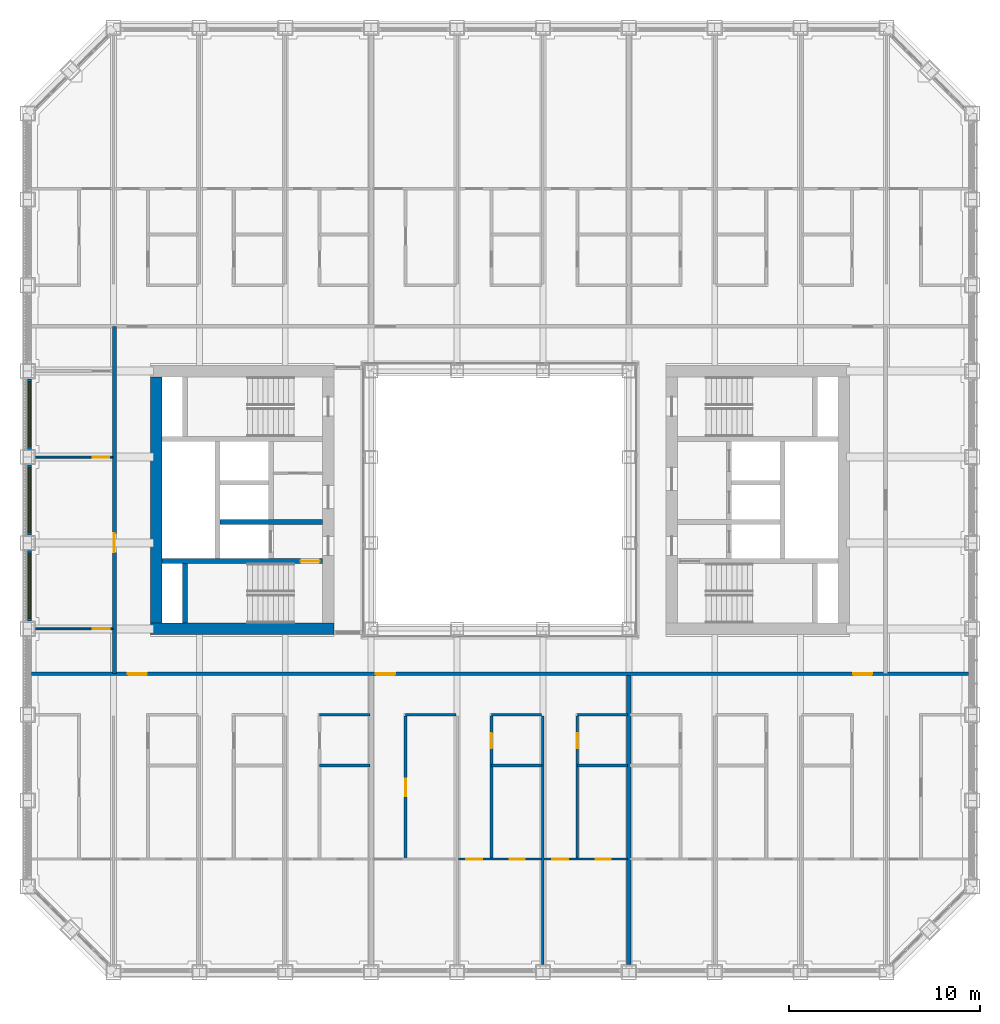
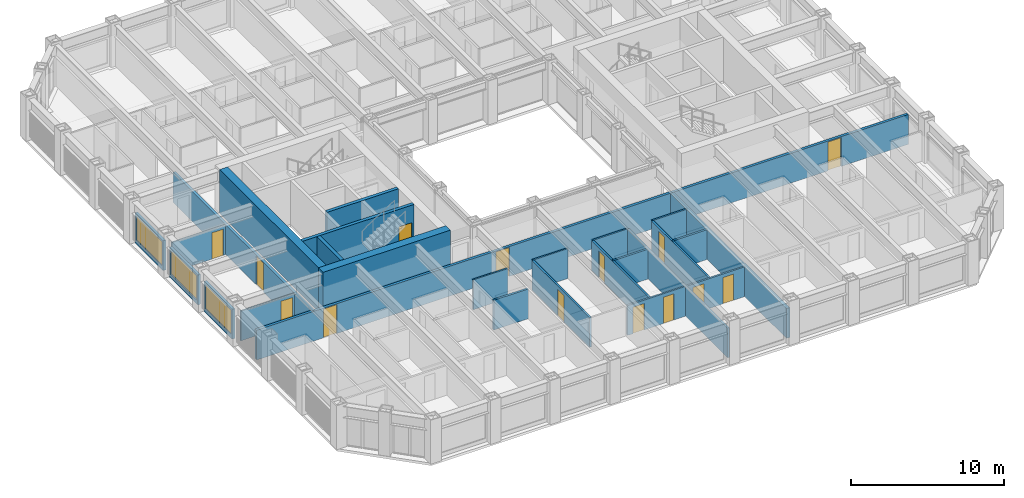
# One storey, part 10 of 21: 26 walls, 14 doors, 3 windows, 17 openings.
"""IFC4 building model written with IfcOpenShell, lengths in metres."""

from ifc_helpers import new_model, si_unit, direction, frame, frame_2d, origin, place, context, subcontext, project, spatial, rectangle, extrude, material, layer, layer_set, type_object, element, fill, save


model = new_model("IFC4")

# Units and contexts
model_context = context("Model", 3, precision=1e-05, world=origin(), true_north=direction((0.0, 1.0)))
body_context = subcontext(model_context, "Body", "Model", "MODEL_VIEW")
ifc_project = project(units=[si_unit("LENGTHUNIT", "METRE"), si_unit("AREAUNIT", "SQUARE_METRE"), si_unit("VOLUMEUNIT", "CUBIC_METRE"), si_unit("PLANEANGLEUNIT", "RADIAN"), si_unit("MASSUNIT", "GRAM", prefix="KILO")], contexts=[model_context])

# Site, building, storey
site_placement = place(None, origin())
site = spatial("IfcSite", under=ifc_project, at=site_placement, CompositionType="ELEMENT")
building_placement = place(site_placement, origin())
building = spatial("IfcBuilding", under=site, at=building_placement, Name="Msasa Ring Tower", CompositionType="ELEMENT")
storey_placement = place(building_placement, frame((0.0, 0.0, 96.5)))
storey = spatial("IfcBuildingStorey", under=building, at=storey_placement, Name="L25", CompositionType="ELEMENT", Elevation=96.5)

# Walls
ifc_material_1 = material(Name="Concrete C60/75", Category="concrete")
ifc_layer_1 = layer(ifc_material_1, 0.60009765625)
ifc_layer_set_1 = layer_set([ifc_layer_1], Name="CW1 CORE WALL 600")
wall_type_1 = type_object("IfcWallType", Name="CW1 CORE WALL 600", PredefinedType="SHEAR", material=ifc_layer_set_1)
wall_1_placement = place(storey_placement, frame((-8.699951171875, -6.75, 0.0), z_axis=(0.0, 0.0, 1.0), x_axis=(-1.0, 0.0, 0.0)))
element("IfcWall", 1, at=wall_1_placement, inside=storey, type_object=wall_type_1, Name="W core wall S L25", PredefinedType="SHEAR", context=body_context, shape_type="SweptSolid", body=[
    extrude(rectangle(XDim=9.60009765625, YDim=0.60009765625, at=frame_2d((4.800048828125, 0.0))), origin(), (0.0, 0.0, 1.0), 3.5),
])
wall_2_placement = place(storey_placement, frame((-18.0, -6.449951171875, 0.0), z_axis=(0.0, 0.0, 1.0), x_axis=(0.0, 1.0, 0.0)))
element("IfcWall", 2, at=wall_2_placement, inside=storey, type_object=wall_type_1, Name="W core wall E L25", PredefinedType="SHEAR", context=body_context, shape_type="SweptSolid", body=[
    extrude(rectangle(XDim=12.89990234375, YDim=0.60009765625, at=frame_2d((6.449951171875, 0.0))), origin(), (0.0, 0.0, 1.0), 3.5),
])

# Wall, opening, door
ifc_material_2 = material(Name="Concrete C60/75", Category="concrete")
ifc_layer_2 = layer(ifc_material_2, 0.25)
ifc_layer_set_2 = layer_set([ifc_layer_2], Name="CW4 CORE INNER WALL 250")
wall_type_2 = type_object("IfcWallType", Name="CW4 CORE INNER WALL 250", PredefinedType="SHEAR", material=ifc_layer_set_2)
wall_3_placement = place(storey_placement, frame((-9.300048828125, -3.199951171875, 0.0), z_axis=(0.0, 0.0, 1.0), x_axis=(-1.0, 0.0, 0.0)))
wall_3 = element("IfcWall", 3, at=wall_3_placement, inside=storey, type_object=wall_type_2, Name="W core wall STAIRA L25", PredefinedType="SHEAR", context=body_context, shape_type="SweptSolid", body=[
    extrude(rectangle(XDim=8.39990234375, YDim=0.25, at=frame_2d((4.199951171875, 0.0))), origin(), (0.0, 0.0, 1.0), 3.5),
])
opening_1_placement = place(wall_3_placement, frame((0.14990234375, 0.0, 0.0)))
opening_1 = element("IfcOpeningElement", 4, at=opening_1_placement, cuts=wall_3, Name="Opening RG-046", PredefinedType="OPENING", context=body_context, shape_type="SweptSolid", body=[
    extrude(rectangle(XDim=1.0, YDim=2.10009765625, at=frame_2d((0.5, 1.050048828125))), frame((0.0, 0.135009765625, 0.0), z_axis=(0.0, -1.0, 0.0), x_axis=(1.0, 0.0, 0.0)), (0.0, 0.0, 1.0), 0.27001953125),
])
ifc_material_3 = material(Name="Timber door leaf in a steel frame", Category="steel")
door_type_1 = type_object("IfcDoorType", Name="D6 STAIR DOOR 1000x2100", OperationType="SINGLE_SWING_LEFT", PredefinedType="DOOR", material=ifc_material_3)
door_1_placement = place(opening_1_placement, origin())
door_1 = element("IfcDoor", 5, at=door_1_placement, inside=storey, type_object=door_type_1, Name="Door L25-WSTA", OperationType="SINGLE_SWING_LEFT", OverallHeight=2.10009765625, OverallWidth=1.0, PredefinedType="DOOR", context=body_context, shape_type="SweptSolid", body=[
    extrude(rectangle(XDim=1.0, YDim=2.10009765625, at=frame_2d((0.5, 1.050048828125))), frame((0.0, 0.02490234375, 0.0), z_axis=(0.0, -1.0, 0.0), x_axis=(1.0, 0.0, 0.0)), (0.0, 0.0, 1.0), 0.050048828125),
])
fill(opening_1, door_1)

# Walls
wall_4_placement = place(storey_placement, frame((-16.5, -6.449951171875, 0.0), z_axis=(0.0, 0.0, 1.0), x_axis=(0.0, 1.0, 0.0)))
element("IfcWall", 6, at=wall_4_placement, inside=storey, type_object=wall_type_2, Name="W core wall RISERA L25", PredefinedType="SHEAR", context=body_context, shape_type="SweptSolid", body=[
    extrude(rectangle(XDim=3.125, YDim=0.25, at=frame_2d((1.5625, 0.0))), origin(), (0.0, 0.0, 1.0), 3.5),
])
wall_5_placement = place(storey_placement, frame((-9.300048828125, -1.14990234375, 0.0), z_axis=(0.0, 0.0, 1.0), x_axis=(-1.0, 0.0, 0.0)))
element("IfcWall", 7, at=wall_5_placement, inside=storey, type_object=wall_type_2, Name="W core wall FFL L25", PredefinedType="SHEAR", context=body_context, shape_type="SweptSolid", body=[
    extrude(rectangle(XDim=5.375, YDim=0.25, at=frame_2d((2.6875, 0.0))), origin(), (0.0, 0.0, 1.0), 3.5),
])

# Wall, opening, window
ifc_material_4 = material(Name="Terracotta rainscreen on blockwork", Category="masonry")
ifc_layer_3 = layer(ifc_material_4, 0.199951171875)
ifc_layer_set_3 = layer_set([ifc_layer_3], Name="FW1 TERRACOTTA-LINED INFILL BAY WALL 200")
wall_type_3 = type_object("IfcWallType", Name="FW1 TERRACOTTA-LINED INFILL BAY WALL 200", PredefinedType="SOLIDWALL", material=ifc_layer_set_3)
wall_6_placement = place(storey_placement, frame((-24.64990234375, -6.344970703125, 0.0), z_axis=(0.0, 0.0, 1.0), x_axis=(0.0, 1.0, 0.0)))
wall_6 = element("IfcWall", 8, at=wall_6_placement, inside=storey, type_object=wall_type_3, Name="Infill bay wall W L25 36", PredefinedType="SOLIDWALL", context=body_context, shape_type="SweptSolid", body=[
    extrude(rectangle(XDim=3.68994140625, YDim=0.199951171875, at=frame_2d((1.844970703125, 0.0))), origin(), (0.0, 0.0, 1.0), 2.37890625),
])
opening_2_placement = place(wall_6_placement, frame((0.14501953125, 0.0, 0.300048828125)))
opening_2 = element("IfcOpeningElement", 9, at=opening_2_placement, cuts=wall_6, Name="Opening WN1", PredefinedType="OPENING", context=body_context, shape_type="SweptSolid", body=[
    extrude(rectangle(XDim=3.39990234375, YDim=1.928955078125, at=frame_2d((1.699951171875, 0.96435546875))), frame((0.0, 0.10986328125, 0.0), z_axis=(0.0, -1.0, 0.0), x_axis=(1.0, 0.0, 0.0)), (0.0, 0.0, 1.0), 0.219970703125),
])
ifc_material_5 = material(Name="Aluminium frame with clear glass", Category="aluminium")
window_type = type_object("IfcWindowType", Name="WN1 RESIDENCE WINDOW 3400x1929", PartitioningType="SINGLE_PANEL", PredefinedType="WINDOW", material=ifc_material_5)
window_1_placement = place(opening_2_placement, origin())
window_1 = element("IfcWindow", 10, at=window_1_placement, inside=storey, type_object=window_type, Name="Window W L25 36", OverallHeight=1.928955078125, OverallWidth=3.39990234375, PartitioningType="SINGLE_PANEL", PredefinedType="WINDOW", context=body_context, shape_type="SweptSolid", body=[
    extrude(rectangle(XDim=3.39990234375, YDim=1.928955078125, at=frame_2d((1.699951171875, 0.96435546875))), frame((0.0, 0.030029296875, 0.0), z_axis=(0.0, -1.0, 0.0), x_axis=(1.0, 0.0, 0.0)), (0.0, 0.0, 1.0), 0.06005859375),
])
fill(opening_2, window_1)

wall_7_placement = place(storey_placement, frame((-24.64990234375, -1.844970703125, 0.0), z_axis=(0.0, 0.0, 1.0), x_axis=(0.0, 1.0, 0.0)))
wall_7 = element("IfcWall", 11, at=wall_7_placement, inside=storey, type_object=wall_type_3, Name="Infill bay wall W L25 37", PredefinedType="SOLIDWALL", context=body_context, shape_type="SweptSolid", body=[
    extrude(rectangle(XDim=3.68994140625, YDim=0.199951171875, at=frame_2d((1.844970703125, 0.0))), origin(), (0.0, 0.0, 1.0), 2.37890625),
])
opening_3_placement = place(wall_7_placement, frame((0.14501953125, 0.0, 0.300048828125)))
opening_3 = element("IfcOpeningElement", 12, at=opening_3_placement, cuts=wall_7, Name="Opening WN1", PredefinedType="OPENING", context=body_context, shape_type="SweptSolid", body=[
    extrude(rectangle(XDim=3.39990234375, YDim=1.928955078125, at=frame_2d((1.699951171875, 0.96435546875))), frame((0.0, 0.10986328125, 0.0), z_axis=(0.0, -1.0, 0.0), x_axis=(1.0, 0.0, 0.0)), (0.0, 0.0, 1.0), 0.219970703125),
])
window_2_placement = place(opening_3_placement, origin())
window_2 = element("IfcWindow", 13, at=window_2_placement, inside=storey, type_object=window_type, Name="Window W L25 37", OverallHeight=1.928955078125, OverallWidth=3.39990234375, PartitioningType="SINGLE_PANEL", PredefinedType="WINDOW", context=body_context, shape_type="SweptSolid", body=[
    extrude(rectangle(XDim=3.39990234375, YDim=1.928955078125, at=frame_2d((1.699951171875, 0.96435546875))), frame((0.0, 0.030029296875, 0.0), z_axis=(0.0, -1.0, 0.0), x_axis=(1.0, 0.0, 0.0)), (0.0, 0.0, 1.0), 0.06005859375),
])
fill(opening_3, window_2)

wall_8_placement = place(storey_placement, frame((-24.64990234375, 2.655029296875, 0.0), z_axis=(0.0, 0.0, 1.0), x_axis=(0.0, 1.0, 0.0)))
wall_8 = element("IfcWall", 14, at=wall_8_placement, inside=storey, type_object=wall_type_3, Name="Infill bay wall W L25 38", PredefinedType="SOLIDWALL", context=body_context, shape_type="SweptSolid", body=[
    extrude(rectangle(XDim=3.68994140625, YDim=0.199951171875, at=frame_2d((1.844970703125, 0.0))), origin(), (0.0, 0.0, 1.0), 2.37890625),
])
opening_4_placement = place(wall_8_placement, frame((0.14501953125, 0.0, 0.300048828125)))
opening_4 = element("IfcOpeningElement", 15, at=opening_4_placement, cuts=wall_8, Name="Opening WN1", PredefinedType="OPENING", context=body_context, shape_type="SweptSolid", body=[
    extrude(rectangle(XDim=3.39990234375, YDim=1.928955078125, at=frame_2d((1.699951171875, 0.96435546875))), frame((0.0, 0.10986328125, 0.0), z_axis=(0.0, -1.0, 0.0), x_axis=(1.0, 0.0, 0.0)), (0.0, 0.0, 1.0), 0.219970703125),
])
window_3_placement = place(opening_4_placement, origin())
window_3 = element("IfcWindow", 16, at=window_3_placement, inside=storey, type_object=window_type, Name="Window W L25 38", OverallHeight=1.928955078125, OverallWidth=3.39990234375, PartitioningType="SINGLE_PANEL", PredefinedType="WINDOW", context=body_context, shape_type="SweptSolid", body=[
    extrude(rectangle(XDim=3.39990234375, YDim=1.928955078125, at=frame_2d((1.699951171875, 0.96435546875))), frame((0.0, 0.030029296875, 0.0), z_axis=(0.0, -1.0, 0.0), x_axis=(1.0, 0.0, 0.0)), (0.0, 0.0, 1.0), 0.06005859375),
])
fill(opening_4, window_3)

# Wall, openings, doors
ifc_material_6 = material(Name="Concrete blockwork", Category="masonry")
ifc_layer_4 = layer(ifc_material_6, 0.199951171875)
ifc_layer_set_4 = layer_set([ifc_layer_4], Name="PT1 CORRIDOR WALL 200")
wall_type_4 = type_object("IfcWallType", Name="PT1 CORRIDOR WALL 200", PredefinedType="PARTITIONING", material=ifc_layer_set_4)
wall_9_placement = place(storey_placement, frame((-24.550048828125, -9.10009765625, 0.0), z_axis=(0.0, 0.0, 1.0), x_axis=(1.0, 0.0, 0.0)))
wall_9 = element("IfcWall", 17, at=wall_9_placement, inside=storey, type_object=wall_type_4, Name="Corridor wall L25-CORRS0", PredefinedType="PARTITIONING", context=body_context, shape_type="SweptSolid", body=[
    extrude(rectangle(XDim=49.10009765625, YDim=0.199951171875, at=frame_2d((24.550048828125, 0.0))), origin(), (0.0, 0.0, 1.0), 2.373291015625),
])
opening_5_placement = place(wall_9_placement, frame((5.050048828125, 0.0, 0.0)))
opening_5 = element("IfcOpeningElement", 18, at=opening_5_placement, cuts=wall_9, Name="Opening RG-050", PredefinedType="OPENING", context=body_context, shape_type="SweptSolid", body=[
    extrude(rectangle(XDim=1.0, YDim=2.300048828125, at=frame_2d((0.5, 1.14990234375))), frame((0.0, 0.10986328125, 0.0), z_axis=(0.0, -1.0, 0.0), x_axis=(1.0, 0.0, 0.0)), (0.0, 0.0, 1.0), 0.219970703125),
])
opening_6_placement = place(wall_9_placement, frame((18.050048828125, 0.0, 0.0)))
opening_6 = element("IfcOpeningElement", 19, at=opening_6_placement, cuts=wall_9, Name="Opening RG-051", PredefinedType="OPENING", context=body_context, shape_type="SweptSolid", body=[
    extrude(rectangle(XDim=1.0, YDim=2.300048828125, at=frame_2d((0.5, 1.14990234375))), frame((0.0, 0.10986328125, 0.0), z_axis=(0.0, -1.0, 0.0), x_axis=(1.0, 0.0, 0.0)), (0.0, 0.0, 1.0), 0.219970703125),
])
opening_7_placement = place(wall_9_placement, frame((43.050048828125, 0.0, 0.0)))
opening_7 = element("IfcOpeningElement", 20, at=opening_7_placement, cuts=wall_9, Name="Opening RG-052", PredefinedType="OPENING", context=body_context, shape_type="SweptSolid", body=[
    extrude(rectangle(XDim=1.0, YDim=2.300048828125, at=frame_2d((0.5, 1.14990234375))), frame((0.0, 0.10986328125, 0.0), z_axis=(0.0, -1.0, 0.0), x_axis=(1.0, 0.0, 0.0)), (0.0, 0.0, 1.0), 0.219970703125),
])
ifc_material_7 = material(Name="Timber door leaf in a steel frame", Category="steel")
door_type_2 = type_object("IfcDoorType", Name="D16 UPPER RESIDENCE ENTRANCE DOOR 1000x2300", OperationType="SINGLE_SWING_LEFT", PredefinedType="DOOR", material=ifc_material_7)
door_2_placement = place(opening_5_placement, origin())
door_2 = element("IfcDoor", 21, at=door_2_placement, inside=storey, type_object=door_type_2, Name="Door L25-US00", OperationType="SINGLE_SWING_LEFT", OverallHeight=2.300048828125, OverallWidth=1.0, PredefinedType="DOOR", context=body_context, shape_type="SweptSolid", body=[
    extrude(rectangle(XDim=1.0, YDim=2.300048828125, at=frame_2d((0.5, 1.14990234375))), frame((0.0, 0.02490234375, 0.0), z_axis=(0.0, -1.0, 0.0), x_axis=(1.0, 0.0, 0.0)), (0.0, 0.0, 1.0), 0.050048828125),
])
fill(opening_5, door_2)
door_3_placement = place(opening_6_placement, origin())
door_3 = element("IfcDoor", 22, at=door_3_placement, inside=storey, type_object=door_type_2, Name="Door L25-US01", OperationType="SINGLE_SWING_LEFT", OverallHeight=2.300048828125, OverallWidth=1.0, PredefinedType="DOOR", context=body_context, shape_type="SweptSolid", body=[
    extrude(rectangle(XDim=1.0, YDim=2.300048828125, at=frame_2d((0.5, 1.14990234375))), frame((0.0, 0.02490234375, 0.0), z_axis=(0.0, -1.0, 0.0), x_axis=(1.0, 0.0, 0.0)), (0.0, 0.0, 1.0), 0.050048828125),
])
fill(opening_6, door_3)
door_4_placement = place(opening_7_placement, origin())
door_4 = element("IfcDoor", 23, at=door_4_placement, inside=storey, type_object=door_type_2, Name="Door L25-US02", OperationType="SINGLE_SWING_RIGHT", OverallHeight=2.300048828125, OverallWidth=1.0, PredefinedType="DOOR", context=body_context, shape_type="SweptSolid", body=[
    extrude(rectangle(XDim=1.0, YDim=2.300048828125, at=frame_2d((0.5, 1.14990234375))), frame((0.0, 0.02490234375, 0.0), z_axis=(0.0, -1.0, 0.0), x_axis=(1.0, 0.0, 0.0)), (0.0, 0.0, 1.0), 0.050048828125),
])
fill(opening_7, door_4)

# Wall, opening, door
wall_10_placement = place(storey_placement, frame((-20.199951171875, -9.10009765625, 0.0), z_axis=(0.0, 0.0, 1.0), x_axis=(0.0, 1.0, 0.0)))
wall_10 = element("IfcWall", 24, at=wall_10_placement, inside=storey, type_object=wall_type_4, Name="Corridor wall L25-STRW", PredefinedType="PARTITIONING", context=body_context, shape_type="SweptSolid", body=[
    extrude(rectangle(XDim=18.2001953125, YDim=0.199951171875, at=frame_2d((9.10009765625, 0.0))), origin(), (0.0, 0.0, 1.0), 2.373291015625),
])
opening_8_placement = place(wall_10_placement, frame((6.35009765625, 0.0, 0.0)))
opening_8 = element("IfcOpeningElement", 25, at=opening_8_placement, cuts=wall_10, Name="Opening RG-043", PredefinedType="OPENING", context=body_context, shape_type="SweptSolid", body=[
    extrude(rectangle(XDim=1.0, YDim=2.300048828125, at=frame_2d((0.5, 1.14990234375))), frame((0.0, 0.10986328125, 0.0), z_axis=(0.0, -1.0, 0.0), x_axis=(1.0, 0.0, 0.0)), (0.0, 0.0, 1.0), 0.219970703125),
])
door_5_placement = place(opening_8_placement, origin())
door_5 = element("IfcDoor", 26, at=door_5_placement, inside=storey, type_object=door_type_2, Name="Door L25-STW", OperationType="SINGLE_SWING_LEFT", OverallHeight=2.300048828125, OverallWidth=1.0, PredefinedType="DOOR", context=body_context, shape_type="SweptSolid", body=[
    extrude(rectangle(XDim=1.0, YDim=2.300048828125, at=frame_2d((0.5, 1.14990234375))), frame((0.0, 0.02490234375, 0.0), z_axis=(0.0, -1.0, 0.0), x_axis=(1.0, 0.0, 0.0)), (0.0, 0.0, 1.0), 0.050048828125),
])
fill(opening_8, door_5)

ifc_material_8 = material(Name="Gypsum board on steel studs", Category="steel")
ifc_layer_5 = layer(ifc_material_8, 0.10009765625)
ifc_layer_set_5 = layer_set([ifc_layer_5], Name="PT2 STUD PARTITION 100")
wall_type_5 = type_object("IfcWallType", Name="PT2 STUD PARTITION 100", PredefinedType="PARTITIONING", material=ifc_layer_set_5)
wall_11_placement = place(storey_placement, frame((-24.35009765625, -6.75, 0.0), z_axis=(0.0, 0.0, 1.0), x_axis=(1.0, 0.0, 0.0)))
wall_11 = element("IfcWall", 27, at=wall_11_placement, inside=storey, type_object=wall_type_5, Name="Partition L25-STWKY", PredefinedType="PARTITIONING", context=body_context, shape_type="SweptSolid", body=[
    extrude(rectangle(XDim=4.050048828125, YDim=0.10009765625, at=frame_2d((2.02490234375, 0.0))), origin(), (0.0, 0.0, 1.0), 2.373291015625),
])
opening_9_placement = place(wall_11_placement, frame((3.0, 0.0, 0.0)))
opening_9 = element("IfcOpeningElement", 28, at=opening_9_placement, cuts=wall_11, Name="Opening RG-048", PredefinedType="OPENING", context=body_context, shape_type="SweptSolid", body=[
    extrude(rectangle(XDim=0.89990234375, YDim=2.10009765625, at=frame_2d((0.449951171875, 1.050048828125))), frame((0.0, 0.06005859375, 0.0), z_axis=(0.0, -1.0, 0.0), x_axis=(1.0, 0.0, 0.0)), (0.0, 0.0, 1.0), 0.1201171875),
])
ifc_material_9 = material(Name="Timber door leaf in a steel frame", Category="steel")
door_type_3 = type_object("IfcDoorType", Name="D22 INTERNAL HALL DOOR 900x2100", OperationType="SINGLE_SWING_LEFT", PredefinedType="DOOR", material=ifc_material_9)
door_6_placement = place(opening_9_placement, origin())
door_6 = element("IfcDoor", 29, at=door_6_placement, inside=storey, type_object=door_type_3, Name="Door L25-STWK", OperationType="SINGLE_SWING_RIGHT", OverallHeight=2.10009765625, OverallWidth=0.89990234375, PredefinedType="DOOR", context=body_context, shape_type="SweptSolid", body=[
    extrude(rectangle(XDim=0.89990234375, YDim=2.10009765625, at=frame_2d((0.449951171875, 1.050048828125))), frame((0.0, 0.02490234375, 0.0), z_axis=(0.0, -1.0, 0.0), x_axis=(1.0, 0.0, 0.0)), (0.0, 0.0, 1.0), 0.050048828125),
])
fill(opening_9, door_6)

wall_12_placement = place(storey_placement, frame((-24.35009765625, 2.25, 0.0), z_axis=(0.0, 0.0, 1.0), x_axis=(1.0, 0.0, 0.0)))
wall_12 = element("IfcWall", 30, at=wall_12_placement, inside=storey, type_object=wall_type_5, Name="Partition L25-STWRY", PredefinedType="PARTITIONING", context=body_context, shape_type="SweptSolid", body=[
    extrude(rectangle(XDim=4.050048828125, YDim=0.10009765625, at=frame_2d((2.02490234375, 0.0))), origin(), (0.0, 0.0, 1.0), 2.373291015625),
])
opening_10_placement = place(wall_12_placement, frame((3.02490234375, 0.0, 0.0)))
opening_10 = element("IfcOpeningElement", 31, at=opening_10_placement, cuts=wall_12, Name="Opening RG-038", PredefinedType="OPENING", context=body_context, shape_type="SweptSolid", body=[
    extrude(rectangle(XDim=0.85009765625, YDim=2.10009765625, at=frame_2d((0.425048828125, 1.050048828125))), frame((0.0, 0.06005859375, 0.0), z_axis=(0.0, -1.0, 0.0), x_axis=(1.0, 0.0, 0.0)), (0.0, 0.0, 1.0), 0.1201171875),
])
ifc_material_10 = material(Name="Timber door leaf in a steel frame", Category="steel")
door_type_4 = type_object("IfcDoorType", Name="D14 BEDROOM DOOR 850x2100", OperationType="SINGLE_SWING_LEFT", PredefinedType="DOOR", material=ifc_material_10)
door_7_placement = place(opening_10_placement, origin())
door_7 = element("IfcDoor", 32, at=door_7_placement, inside=storey, type_object=door_type_4, Name="Door L25-STWR", OperationType="SINGLE_SWING_RIGHT", OverallHeight=2.10009765625, OverallWidth=0.85009765625, PredefinedType="DOOR", context=body_context, shape_type="SweptSolid", body=[
    extrude(rectangle(XDim=0.85009765625, YDim=2.10009765625, at=frame_2d((0.425048828125, 1.050048828125))), frame((0.0, 0.02490234375, 0.0), z_axis=(0.0, -1.0, 0.0), x_axis=(1.0, 0.0, 0.0)), (0.0, 0.0, 1.0), 0.050048828125),
])
fill(opening_10, door_7)

# Walls
ifc_material_11 = material(Name="Dense concrete blockwork, plastered both faces", Category="masonry")
ifc_layer_6 = layer(ifc_material_11, 0.25)
ifc_layer_set_6 = layer_set([ifc_layer_6], Name="PT3 APARTMENT SEPARATING WALL 250")
wall_type_6 = type_object("IfcWallType", Name="PT3 APARTMENT SEPARATING WALL 250", PredefinedType="PARTITIONING", material=ifc_layer_set_6)
wall_13_placement = place(storey_placement, frame((6.75, -24.35009765625, 0.0), z_axis=(0.0, 0.0, 1.0), x_axis=(0.0, 1.0, 0.0)))
element("IfcWall", 33, at=wall_13_placement, inside=storey, type_object=wall_type_6, Name="Party wall L25-PWS+6.75", PredefinedType="PARTITIONING", context=body_context, shape_type="SweptSolid", body=[
    extrude(rectangle(XDim=15.150146484375, YDim=0.25, at=frame_2d((7.5751953125, 0.0))), origin(), (0.0, 0.0, 1.0), 2.373291015625),
])
ifc_material_12 = material(Name="Moisture-resistant board on steel studs with a concealed cistern and pipe void, tiled", Category="steel")
ifc_layer_7 = layer(ifc_material_12, 0.14990234375)
ifc_layer_set_7 = layer_set([ifc_layer_7], Name="PT4 BATHROOM WET WALL 150")
wall_type_7 = type_object("IfcWallType", Name="PT4 BATHROOM WET WALL 150", PredefinedType="PARTITIONING", material=ifc_layer_set_7)
wall_14_placement = place(storey_placement, frame((-9.449951171875, -13.91259765625, 0.0), z_axis=(0.0, 0.0, 1.0), x_axis=(1.0, 0.0, 0.0)))
element("IfcWall", 34, at=wall_14_placement, inside=storey, type_object=wall_type_7, Name="Partition L25-US00SB3", PredefinedType="PARTITIONING", context=body_context, shape_type="SweptSolid", body=[
    extrude(rectangle(XDim=2.632568359375, YDim=0.14990234375, at=frame_2d((1.31640625, 0.0))), origin(), (0.0, 0.0, 1.0), 2.373291015625),
])

# Wall, opening, door
wall_15_placement = place(storey_placement, frame((-4.949951171875, -18.8125, 0.0), z_axis=(0.0, 0.0, 1.0), x_axis=(0.0, 1.0, 0.0)))
wall_15 = element("IfcWall", 35, at=wall_15_placement, inside=storey, type_object=wall_type_7, Name="Partition L25-US01SX0", PredefinedType="PARTITIONING", context=body_context, shape_type="SweptSolid", body=[
    extrude(rectangle(XDim=7.5, YDim=0.14990234375, at=frame_2d((3.75, 0.0))), origin(), (0.0, 0.0, 1.0), 2.373291015625),
])
opening_11_placement = place(wall_15_placement, frame((3.300048828125, 0.0, 0.0)))
opening_11 = element("IfcOpeningElement", 36, at=opening_11_placement, cuts=wall_15, Name="Opening RG-062", PredefinedType="OPENING", context=body_context, shape_type="SweptSolid", body=[
    extrude(rectangle(XDim=0.89990234375, YDim=2.10009765625, at=frame_2d((0.449951171875, 1.050048828125))), frame((0.0, 0.0849609375, 0.0), z_axis=(0.0, -1.0, 0.0), x_axis=(1.0, 0.0, 0.0)), (0.0, 0.0, 1.0), 0.169921875),
])
door_8_placement = place(opening_11_placement, origin())
door_8 = element("IfcDoor", 37, at=door_8_placement, inside=storey, type_object=door_type_3, Name="Door L25-US01K", OperationType="SINGLE_SWING_LEFT", OverallHeight=2.10009765625, OverallWidth=0.89990234375, PredefinedType="DOOR", context=body_context, shape_type="SweptSolid", body=[
    extrude(rectangle(XDim=0.89990234375, YDim=2.10009765625, at=frame_2d((0.449951171875, 1.050048828125))), frame((0.0, 0.02490234375, 0.0), z_axis=(0.0, -1.0, 0.0), x_axis=(1.0, 0.0, 0.0)), (0.0, 0.0, 1.0), 0.050048828125),
])
fill(opening_11, door_8)

wall_16_placement = place(storey_placement, frame((-0.449951171875, -18.8125, 0.0), z_axis=(0.0, 0.0, 1.0), x_axis=(0.0, 1.0, 0.0)))
wall_16 = element("IfcWall", 38, at=wall_16_placement, inside=storey, type_object=wall_type_7, Name="Partition L25-US01SX1", PredefinedType="PARTITIONING", context=body_context, shape_type="SweptSolid", body=[
    extrude(rectangle(XDim=7.5, YDim=0.14990234375, at=frame_2d((3.75, 0.0))), origin(), (0.0, 0.0, 1.0), 2.373291015625),
])
opening_12_placement = place(wall_16_placement, frame((5.800048828125, 0.0, 0.0)))
opening_12 = element("IfcOpeningElement", 39, at=opening_12_placement, cuts=wall_16, Name="Opening RG-056", PredefinedType="OPENING", context=body_context, shape_type="SweptSolid", body=[
    extrude(rectangle(XDim=0.800048828125, YDim=2.10009765625, at=frame_2d((0.39990234375, 1.050048828125))), frame((0.0, 0.0849609375, 0.0), z_axis=(0.0, -1.0, 0.0), x_axis=(1.0, 0.0, 0.0)), (0.0, 0.0, 1.0), 0.169921875),
])
ifc_material_13 = material(Name="Timber door leaf in a steel frame", Category="steel")
door_type_5 = type_object("IfcDoorType", Name="D21 POCKET SLIDING BATHROOM DOOR 800x2100", OperationType="SINGLE_SWING_LEFT", PredefinedType="DOOR", material=ifc_material_13)
door_9_placement = place(opening_12_placement, origin())
door_9 = element("IfcDoor", 40, at=door_9_placement, inside=storey, type_object=door_type_5, Name="Door L25-US01B1", OperationType="SINGLE_SWING_RIGHT", OverallHeight=2.10009765625, OverallWidth=0.800048828125, PredefinedType="DOOR", context=body_context, shape_type="SweptSolid", body=[
    extrude(rectangle(XDim=0.800048828125, YDim=2.10009765625, at=frame_2d((0.39990234375, 1.050048828125))), frame((0.0, 0.02490234375, 0.0), z_axis=(0.0, -1.0, 0.0), x_axis=(1.0, 0.0, 0.0)), (0.0, 0.0, 1.0), 0.050048828125),
])
fill(opening_12, door_9)

# Wall
wall_17_placement = place(storey_placement, frame((-0.449951171875, -13.91259765625, 0.0), z_axis=(0.0, 0.0, 1.0), x_axis=(1.0, 0.0, 0.0)))
element("IfcWall", 41, at=wall_17_placement, inside=storey, type_object=wall_type_7, Name="Partition L25-US01SB1", PredefinedType="PARTITIONING", context=body_context, shape_type="SweptSolid", body=[
    extrude(rectangle(XDim=2.637451171875, YDim=0.14990234375, at=frame_2d((1.31884765625, 0.0))), origin(), (0.0, 0.0, 1.0), 2.373291015625),
])

# Wall, opening, door
wall_18_placement = place(storey_placement, frame((4.050048828125, -18.8125, 0.0), z_axis=(0.0, 0.0, 1.0), x_axis=(0.0, 1.0, 0.0)))
wall_18 = element("IfcWall", 42, at=wall_18_placement, inside=storey, type_object=wall_type_7, Name="Partition L25-US01SX2", PredefinedType="PARTITIONING", context=body_context, shape_type="SweptSolid", body=[
    extrude(rectangle(XDim=7.5, YDim=0.14990234375, at=frame_2d((3.75, 0.0))), origin(), (0.0, 0.0, 1.0), 2.373291015625),
])
opening_13_placement = place(wall_18_placement, frame((5.800048828125, 0.0, 0.0)))
opening_13 = element("IfcOpeningElement", 43, at=opening_13_placement, cuts=wall_18, Name="Opening RG-057", PredefinedType="OPENING", context=body_context, shape_type="SweptSolid", body=[
    extrude(rectangle(XDim=0.800048828125, YDim=2.10009765625, at=frame_2d((0.39990234375, 1.050048828125))), frame((0.0, 0.0849609375, 0.0), z_axis=(0.0, -1.0, 0.0), x_axis=(1.0, 0.0, 0.0)), (0.0, 0.0, 1.0), 0.169921875),
])
door_10_placement = place(opening_13_placement, origin())
door_10 = element("IfcDoor", 44, at=door_10_placement, inside=storey, type_object=door_type_5, Name="Door L25-US01B2", OperationType="SINGLE_SWING_RIGHT", OverallHeight=2.10009765625, OverallWidth=0.800048828125, PredefinedType="DOOR", context=body_context, shape_type="SweptSolid", body=[
    extrude(rectangle(XDim=0.800048828125, YDim=2.10009765625, at=frame_2d((0.39990234375, 1.050048828125))), frame((0.0, 0.02490234375, 0.0), z_axis=(0.0, -1.0, 0.0), x_axis=(1.0, 0.0, 0.0)), (0.0, 0.0, 1.0), 0.050048828125),
])
fill(opening_13, door_10)

# Walls
wall_19_placement = place(storey_placement, frame((4.050048828125, -13.91259765625, 0.0), z_axis=(0.0, 0.0, 1.0), x_axis=(1.0, 0.0, 0.0)))
element("IfcWall", 45, at=wall_19_placement, inside=storey, type_object=wall_type_7, Name="Partition L25-US01SB2", PredefinedType="PARTITIONING", context=body_context, shape_type="SweptSolid", body=[
    extrude(rectangle(XDim=2.632568359375, YDim=0.14990234375, at=frame_2d((1.31640625, 0.0))), origin(), (0.0, 0.0, 1.0), 2.373291015625),
])
ifc_material_14 = material(Name="Two layers of acoustic board each face on steel studs, mineral wool", Category="steel")
ifc_layer_8 = layer(ifc_material_14, 0.125)
ifc_layer_set_8 = layer_set([ifc_layer_8], Name="PT6 ACOUSTIC DOUBLE-BOARD PARTITION 125")
wall_type_8 = type_object("IfcWallType", Name="PT6 ACOUSTIC DOUBLE-BOARD PARTITION 125", PredefinedType="PARTITIONING", material=ifc_layer_set_8)
for number, where, z_axis, x_axis, name in (
    (46, (-9.449951171875, -11.25, 0.0), (0.0, 0.0, 1.0), (1.0, 0.0, 0.0), "Partition L25-US00HY3"),
    (47, (-4.949951171875, -11.25, 0.0), (0.0, 0.0, 1.0), (1.0, 0.0, 0.0), "Partition L25-US01HY0"),
    (48, (-0.449951171875, -11.25, 0.0), (0.0, 0.0, 1.0), (1.0, 0.0, 0.0), "Partition L25-US01HY1"),
):
    element("IfcWall", number, at=place(storey_placement, frame(where, z_axis=z_axis, x_axis=x_axis)), inside=storey, type_object=wall_type_8, Name=name, PredefinedType="PARTITIONING", context=body_context, shape_type="SweptSolid", body=[
        extrude(rectangle(XDim=2.632568359375, YDim=0.125, at=frame_2d((1.31640625, 0.0))), origin(), (0.0, 0.0, 1.0), 2.373291015625),
    ])

# Wall, openings, doors
wall_20_placement = place(storey_placement, frame((-2.1875, -18.8125, 0.0), z_axis=(0.0, 0.0, 1.0), x_axis=(1.0, 0.0, 0.0)))
wall_20 = element("IfcWall", 49, at=wall_20_placement, inside=storey, type_object=wall_type_8, Name="Partition L25-US01SY1", PredefinedType="PARTITIONING", context=body_context, shape_type="SweptSolid", body=[
    extrude(rectangle(XDim=4.375, YDim=0.125, at=frame_2d((2.1875, 0.0))), origin(), (0.0, 0.0, 1.0), 2.373291015625),
])
opening_14_placement = place(wall_20_placement, frame((0.41259765625, 0.0, 0.0)))
opening_14 = element("IfcOpeningElement", 50, at=opening_14_placement, cuts=wall_20, Name="Opening RG-072", PredefinedType="OPENING", context=body_context, shape_type="SweptSolid", body=[
    extrude(rectangle(XDim=0.85009765625, YDim=2.10009765625, at=frame_2d((0.425048828125, 1.050048828125))), frame((0.0, 0.072509765625, 0.0), z_axis=(0.0, -1.0, 0.0), x_axis=(1.0, 0.0, 0.0)), (0.0, 0.0, 1.0), 0.14501953125),
])
opening_15_placement = place(wall_20_placement, frame((2.69384765625, 0.0, 0.0)))
opening_15 = element("IfcOpeningElement", 51, at=opening_15_placement, cuts=wall_20, Name="Opening RG-073", PredefinedType="OPENING", context=body_context, shape_type="SweptSolid", body=[
    extrude(rectangle(XDim=0.800048828125, YDim=2.10009765625, at=frame_2d((0.39990234375, 1.050048828125))), frame((0.0, 0.072509765625, 0.0), z_axis=(0.0, -1.0, 0.0), x_axis=(1.0, 0.0, 0.0)), (0.0, 0.0, 1.0), 0.14501953125),
])
door_11_placement = place(opening_14_placement, origin())
door_11 = element("IfcDoor", 52, at=door_11_placement, inside=storey, type_object=door_type_4, Name="Door L25-US01R1", OperationType="SINGLE_SWING_LEFT", OverallHeight=2.10009765625, OverallWidth=0.85009765625, PredefinedType="DOOR", context=body_context, shape_type="SweptSolid", body=[
    extrude(rectangle(XDim=0.85009765625, YDim=2.10009765625, at=frame_2d((0.425048828125, 1.050048828125))), frame((0.0, 0.02490234375, 0.0), z_axis=(0.0, -1.0, 0.0), x_axis=(1.0, 0.0, 0.0)), (0.0, 0.0, 1.0), 0.050048828125),
])
fill(opening_14, door_11)
ifc_material_15 = material(Name="Timber door leaf in a steel frame", Category="steel")
door_type_6 = type_object("IfcDoorType", Name="D60 DRESSING ROOM DOOR 800x2100", OperationType="SINGLE_SWING_LEFT", PredefinedType="DOOR", material=ifc_material_15)
door_12_placement = place(opening_15_placement, origin())
door_12 = element("IfcDoor", 53, at=door_12_placement, inside=storey, type_object=door_type_6, Name="Door L25-US01W1", OperationType="SINGLE_SWING_RIGHT", OverallHeight=2.10009765625, OverallWidth=0.800048828125, PredefinedType="DOOR", context=body_context, shape_type="SweptSolid", body=[
    extrude(rectangle(XDim=0.800048828125, YDim=2.10009765625, at=frame_2d((0.39990234375, 1.050048828125))), frame((0.0, 0.02490234375, 0.0), z_axis=(0.0, -1.0, 0.0), x_axis=(1.0, 0.0, 0.0)), (0.0, 0.0, 1.0), 0.050048828125),
])
fill(opening_15, door_12)

# Walls
wall_21_placement = place(storey_placement, frame((2.25, -24.35009765625, 0.0), z_axis=(0.0, 0.0, 1.0), x_axis=(0.0, 1.0, 0.0)))
element("IfcWall", 54, at=wall_21_placement, inside=storey, type_object=wall_type_8, Name="Partition L25-US01P2", PredefinedType="PARTITIONING", context=body_context, shape_type="SweptSolid", body=[
    extrude(rectangle(XDim=13.03759765625, YDim=0.125, at=frame_2d((6.518798828125, 0.0))), origin(), (0.0, 0.0, 1.0), 2.373291015625),
])
wall_22_placement = place(storey_placement, frame((4.050048828125, -11.25, 0.0), z_axis=(0.0, 0.0, 1.0), x_axis=(1.0, 0.0, 0.0)))
element("IfcWall", 55, at=wall_22_placement, inside=storey, type_object=wall_type_8, Name="Partition L25-US01HY2", PredefinedType="PARTITIONING", context=body_context, shape_type="SweptSolid", body=[
    extrude(rectangle(XDim=2.632568359375, YDim=0.125, at=frame_2d((1.31640625, 0.0))), origin(), (0.0, 0.0, 1.0), 2.373291015625),
])

# Wall, openings, doors
wall_23_placement = place(storey_placement, frame((2.3125, -18.8125, 0.0), z_axis=(0.0, 0.0, 1.0), x_axis=(1.0, 0.0, 0.0)))
wall_23 = element("IfcWall", 56, at=wall_23_placement, inside=storey, type_object=wall_type_8, Name="Partition L25-US01SY2", PredefinedType="PARTITIONING", context=body_context, shape_type="SweptSolid", body=[
    extrude(rectangle(XDim=4.3701171875, YDim=0.125, at=frame_2d((2.18505859375, 0.0))), origin(), (0.0, 0.0, 1.0), 2.373291015625),
])
opening_16_placement = place(wall_23_placement, frame((0.41259765625, 0.0, 0.0)))
opening_16 = element("IfcOpeningElement", 57, at=opening_16_placement, cuts=wall_23, Name="Opening RG-074", PredefinedType="OPENING", context=body_context, shape_type="SweptSolid", body=[
    extrude(rectangle(XDim=0.85009765625, YDim=2.10009765625, at=frame_2d((0.425048828125, 1.050048828125))), frame((0.0, 0.072509765625, 0.0), z_axis=(0.0, -1.0, 0.0), x_axis=(1.0, 0.0, 0.0)), (0.0, 0.0, 1.0), 0.14501953125),
])
opening_17_placement = place(wall_23_placement, frame((2.693603515625, 0.0, 0.0)))
opening_17 = element("IfcOpeningElement", 58, at=opening_17_placement, cuts=wall_23, Name="Opening RG-075", PredefinedType="OPENING", context=body_context, shape_type="SweptSolid", body=[
    extrude(rectangle(XDim=0.800048828125, YDim=2.10009765625, at=frame_2d((0.39990234375, 1.050048828125))), frame((0.0, 0.072509765625, 0.0), z_axis=(0.0, -1.0, 0.0), x_axis=(1.0, 0.0, 0.0)), (0.0, 0.0, 1.0), 0.14501953125),
])
door_13_placement = place(opening_16_placement, origin())
door_13 = element("IfcDoor", 59, at=door_13_placement, inside=storey, type_object=door_type_4, Name="Door L25-US01R2", OperationType="SINGLE_SWING_LEFT", OverallHeight=2.10009765625, OverallWidth=0.85009765625, PredefinedType="DOOR", context=body_context, shape_type="SweptSolid", body=[
    extrude(rectangle(XDim=0.85009765625, YDim=2.10009765625, at=frame_2d((0.425048828125, 1.050048828125))), frame((0.0, 0.02490234375, 0.0), z_axis=(0.0, -1.0, 0.0), x_axis=(1.0, 0.0, 0.0)), (0.0, 0.0, 1.0), 0.050048828125),
])
fill(opening_16, door_13)
door_14_placement = place(opening_17_placement, origin())
door_14 = element("IfcDoor", 60, at=door_14_placement, inside=storey, type_object=door_type_6, Name="Door L25-US01W2", OperationType="SINGLE_SWING_RIGHT", OverallHeight=2.10009765625, OverallWidth=0.800048828125, PredefinedType="DOOR", context=body_context, shape_type="SweptSolid", body=[
    extrude(rectangle(XDim=0.800048828125, YDim=2.10009765625, at=frame_2d((0.39990234375, 1.050048828125))), frame((0.0, 0.02490234375, 0.0), z_axis=(0.0, -1.0, 0.0), x_axis=(1.0, 0.0, 0.0)), (0.0, 0.0, 1.0), 0.050048828125),
])
fill(opening_17, door_14)

save(model, "model.ifc")
